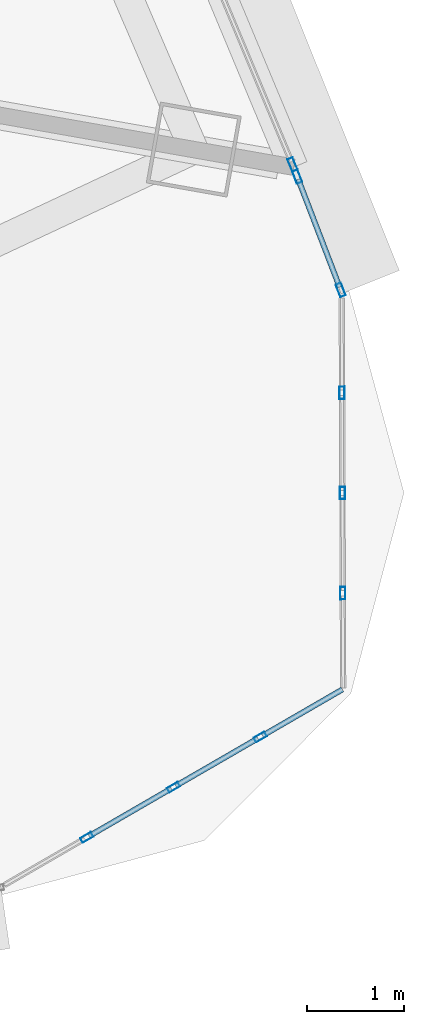
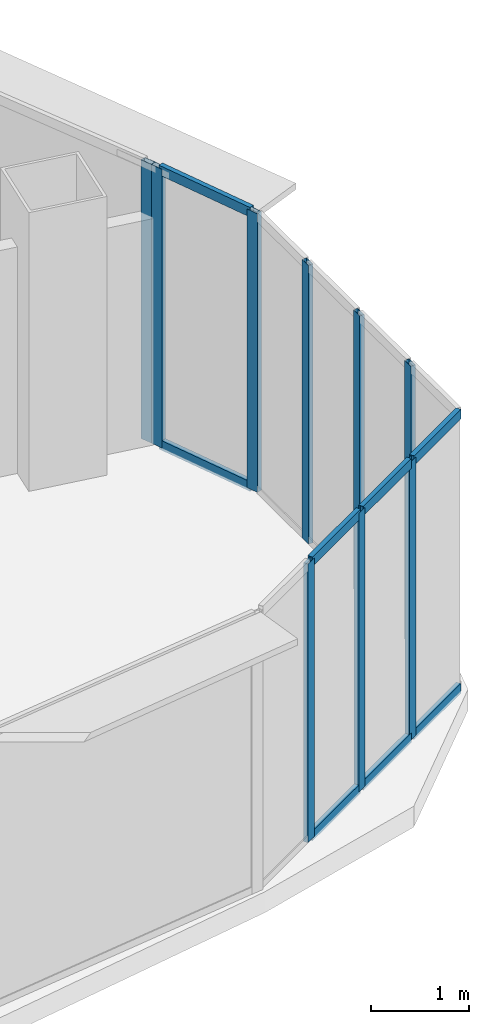
# One storey, part 25 of 36: 17 members, 4 elements without a shape of their own.
"""IFC4 building model written with IfcOpenShell, lengths in metres."""

import ifcopenshell
import ifcopenshell.guid

model = None  # the IFC model being written
_history = None  # IfcOwnerHistory: only IFC2X3 demands one
_inside = {}  # id of a spatial element -> (the spatial element, [elements in it])
_under = {}  # id of a project, library or spatial element -> (it, [spatial elements below it])
_declared = {}  # id of a project -> (the project, [libraries it declares])
_typed = {}  # id of a type object -> (the type object, [elements of that type])
_made_of = {}  # id of a material, layer set ... -> (it, [elements and type objects made of it])


def new_model(schema):
    """Start an empty IFC model of exactly this schema.

    Asked for "IFC4X3", IfcOpenShell would pick the latest addendum, in which some entities
    have other attributes; the version numbers below select the first issue.
    IFC2X3 requires an IfcOwnerHistory on every rooted entity: one is made here for all.
    """
    global model, _history
    if schema == "IFC4X3":
        model = ifcopenshell.file(schema_version=(4, 3, 0, 0))
    else:
        model = ifcopenshell.file(schema=schema)
    _inside.clear()
    _under.clear()
    _declared.clear()
    _typed.clear()
    _made_of.clear()
    _history = None
    if model.schema == "IFC2X3":
        org = make("IfcOrganization", Name="unknown")
        user = make(
            "IfcPersonAndOrganization",
            ThePerson=make("IfcPerson", FamilyName="unknown"),
            TheOrganization=org,
        )
        app = make(
            "IfcApplication",
            ApplicationDeveloper=org,
            Version="unknown",
            ApplicationFullName="unknown",
            ApplicationIdentifier="unknown",
        )
        _history = make(
            "IfcOwnerHistory",
            OwningUser=user,
            OwningApplication=app,
            ChangeAction="ADDED",
            CreationDate=0,
        )
    return model


def make(cls, **values):
    """One entity of the class cls with the attributes given. An attribute that is None is left unset."""
    return model.create_entity(
        cls, **{name: value for name, value in values.items() if value is not None}
    )


def rooted(cls, **values):
    """An entity with a GlobalId (a new one), such as an element, a storey or a relation."""
    return make(cls, GlobalId=ifcopenshell.guid.new(), OwnerHistory=_history, **values)


def si_unit(unit_type, name, prefix=None):
    """IfcSIUnit, for example si_unit("LENGTHUNIT", "METRE", prefix="MILLI")."""
    return make("IfcSIUnit", UnitType=unit_type, Prefix=prefix, Name=name)


def assignment(units):
    """IfcUnitAssignment: the units of a project."""
    return None if units is None else make("IfcUnitAssignment", Units=units)


def point(xyz):
    """IfcCartesianPoint."""
    return None if xyz is None else make("IfcCartesianPoint", Coordinates=xyz)


def direction(xyz):
    """IfcDirection."""
    return None if xyz is None else make("IfcDirection", DirectionRatios=xyz)


def frame(location, z_axis=None, x_axis=None):
    """IfcAxis2Placement3D, a coordinate frame: its origin and axes. An axis left out is left unset."""
    return make(
        "IfcAxis2Placement3D",
        Location=point(location),
        Axis=direction(z_axis),
        RefDirection=direction(x_axis),
    )


def frame_2d(location, x_axis=None):
    """IfcAxis2Placement2D, a coordinate frame in the plane: its origin and x axis."""
    return make(
        "IfcAxis2Placement2D", Location=point(location), RefDirection=direction(x_axis)
    )


def origin():
    """The frame at (0, 0, 0) with its axes left unset."""
    return frame((0.0, 0.0, 0.0))


def origin_2d():
    """The frame at (0, 0) in the plane with its x axis left unset."""
    return frame_2d((0.0, 0.0))


def place(relative_to, where):
    """IfcLocalPlacement: puts the frame where relative to a parent placement (None: the world)."""
    return make(
        "IfcLocalPlacement", PlacementRelTo=relative_to, RelativePlacement=where
    )


def context(
    kind, dimensions, precision=None, world=None, true_north=None, identifier=None
):
    """IfcGeometricRepresentationContext, for example the 3D "Model" context."""
    return make(
        "IfcGeometricRepresentationContext",
        ContextIdentifier=identifier,
        ContextType=kind,
        CoordinateSpaceDimension=dimensions,
        Precision=precision,
        WorldCoordinateSystem=world,
        TrueNorth=true_north,
    )


def subcontext(parent, identifier, kind, view, scale=None):
    """IfcGeometricRepresentationSubContext, for example "Body" below "Model"."""
    return make(
        "IfcGeometricRepresentationSubContext",
        ContextIdentifier=identifier,
        ContextType=kind,
        ParentContext=parent,
        TargetScale=scale,
        TargetView=view,
    )


def project(units=None, contexts=None):
    """IfcProject with its units and contexts."""
    return rooted(
        "IfcProject",
        Name="project",
        RepresentationContexts=contexts,
        UnitsInContext=assignment(units),
    )


def spatial(cls, under=None, at=None, **own):
    """A site, building, storey or space (cls), placed at a placement, below another one or the project."""
    s = rooted(cls, ObjectPlacement=at, **own)
    if under is not None:
        _under.setdefault(under.id(), (under, []))[1].append(s)
    return s


def profile(cls, at=None, kind="AREA", **sizes):
    """A parametric profile (cls). Its sizes go by their IFC names, for example OverallWidth=200.0."""
    return make(cls, ProfileType=kind, Position=at, **sizes)


def hollow_rectangle(**sizes):
    """IfcRectangleHollowProfileDef."""
    return profile("IfcRectangleHollowProfileDef", **sizes)


def extrude(swept, where, along, depth):
    """IfcExtrudedAreaSolid: the profile swept, set in the frame where, extruded along a direction by depth."""
    return make(
        "IfcExtrudedAreaSolid",
        SweptArea=swept,
        Position=where,
        ExtrudedDirection=direction(along),
        Depth=depth,
    )


def shape(context_of_items, identifier, shape_type, items):
    """IfcShapeRepresentation: the items that make up one representation, for example the "Body"."""
    return make(
        "IfcShapeRepresentation",
        ContextOfItems=context_of_items,
        RepresentationIdentifier=identifier,
        RepresentationType=shape_type,
        Items=items,
    )


def source(mapping_origin, context_of_items, identifier, shape_type, items):
    """IfcRepresentationMap: a shape defined once, which mapped items show again and again."""
    return make(
        "IfcRepresentationMap",
        MappingOrigin=mapping_origin,
        MappedRepresentation=shape(context_of_items, identifier, shape_type, items),
    )


def transform(
    local_origin,
    x_axis=None,
    y_axis=None,
    z_axis=None,
    scale=None,
    scale2=None,
    scale3=None,
    uniform=True,
):
    """IfcCartesianTransformationOperator3D, or its non-uniform kind. x_axis, y_axis, z_axis: its Axis1, 2, 3."""
    if uniform:
        return make(
            "IfcCartesianTransformationOperator3D",
            Axis1=direction(x_axis),
            Axis2=direction(y_axis),
            LocalOrigin=point(local_origin),
            Scale=scale,
            Axis3=direction(z_axis),
        )
    return make(
        "IfcCartesianTransformationOperator3DnonUniform",
        Axis1=direction(x_axis),
        Axis2=direction(y_axis),
        LocalOrigin=point(local_origin),
        Scale=scale,
        Axis3=direction(z_axis),
        Scale2=scale2,
        Scale3=scale3,
    )


def mapped(mapping_source, mapping_target):
    """IfcMappedItem: shows the shape of a source again, moved by a transform."""
    return make(
        "IfcMappedItem", MappingSource=mapping_source, MappingTarget=mapping_target
    )


def material(Name=None, Category=None):
    """IfcMaterial."""
    return make("IfcMaterial", Name=Name, Category=Category)


def layer(
    of_material, thickness, ventilated=None, Name=None, Category=None, Priority=None
):
    """IfcMaterialLayer: one layer of a wall or slab, of a material (None: an air gap)."""
    return make(
        "IfcMaterialLayer",
        Material=of_material,
        LayerThickness=thickness,
        IsVentilated=ventilated,
        Name=Name,
        Category=Category,
        Priority=Priority,
    )


def layer_set(layers, Name=None):
    """IfcMaterialLayerSet."""
    return make("IfcMaterialLayerSet", MaterialLayers=layers, LayerSetName=Name)


def material_profile(
    of_material, cross_section, Name=None, Category=None, Priority=None
):
    """IfcMaterialProfile: a cross section and its material."""
    return make(
        "IfcMaterialProfile",
        Name=Name,
        Material=of_material,
        Profile=cross_section,
        Priority=Priority,
        Category=Category,
    )


def profile_set(profiles, Name=None, composite=None):
    """IfcMaterialProfileSet."""
    return make(
        "IfcMaterialProfileSet",
        Name=Name,
        MaterialProfiles=profiles,
        CompositeProfile=composite,
    )


def made_of(thing, what):
    """Note that an element or type object is made of a material, layer set ...; save() writes the relation."""
    if what is not None:
        _made_of.setdefault(what.id(), (what, []))[1].append(thing)
    return thing


def type_object(cls, material=None, **own):
    """A type object (cls), such as IfcWallType, which elements share."""
    return made_of(rooted(cls, **own), material)


def element(
    cls,
    number,
    at=None,
    inside=None,
    cuts=None,
    type_object=None,
    material=None,
    context=None,
    identifier="Body",
    shape_type=None,
    held_by="IfcProductDefinitionShape",
    body=None,
    shapes=None,
    **own,
):
    """One element of the class cls, such as IfcWall. Its Tag is "e" and its number.

    at: its placement. inside: the storey or other place that contains it. cuts: it is an
    opening in that element (IfcRelVoidsElement). A single representation is given by context,
    identifier, shape_type and body (its items); several are given by shapes. held_by: the class
    of the entity that holds the representations. save() writes the other relations.
    """
    e = rooted(cls, Tag="e%d" % number, ObjectPlacement=at, **own)
    if body is not None:
        shapes = [shape(context, identifier, shape_type, body)]
    if shapes is not None:
        e.Representation = make(held_by, Representations=shapes)
    if inside is not None:
        _inside.setdefault(inside.id(), (inside, []))[1].append(e)
    if cuts is not None:
        rooted(
            "IfcRelVoidsElement", RelatingBuildingElement=cuts, RelatedOpeningElement=e
        )
    if type_object is not None:
        _typed.setdefault(type_object.id(), (type_object, []))[1].append(e)
    return made_of(e, material)


def aggregate(whole, parts):
    """IfcRelAggregates: a whole, such as a stair, and the parts it consists of."""
    return rooted("IfcRelAggregates", RelatingObject=whole, RelatedObjects=parts)


def save(model, path):
    """Write the relations noted so far, then the file.

    IfcRelAggregates (storeys below a building ...), IfcRelContainedInSpatialStructure (elements
    in a storey), IfcRelDefinesByType, IfcRelAssociatesMaterial and IfcRelDeclares: one each for
    every whole, place, type object, material and project.
    """
    for whole, parts in _under.values():
        aggregate(whole, parts)
    for where, things in _inside.values():
        rooted(
            "IfcRelContainedInSpatialStructure",
            RelatedElements=things,
            RelatingStructure=where,
        )
    for kind, things in _typed.values():
        rooted("IfcRelDefinesByType", RelatedObjects=things, RelatingType=kind)
    for what, things in _made_of.values():
        rooted("IfcRelAssociatesMaterial", RelatedObjects=things, RelatingMaterial=what)
    for by, libraries in _declared.values():
        rooted("IfcRelDeclares", RelatingContext=by, RelatedDefinitions=libraries)
    model.write(path)


model = new_model("IFC4")

# Units and contexts
model_context = context("Model", 3, precision=1e-05, world=origin(), true_north=direction((0.0, 1.0)))
body_context = subcontext(model_context, "Body", "Model", "MODEL_VIEW")
ifc_project = project(units=[si_unit("LENGTHUNIT", "METRE"), si_unit("AREAUNIT", "SQUARE_METRE"), si_unit("VOLUMEUNIT", "CUBIC_METRE"), si_unit("PLANEANGLEUNIT", "RADIAN"), si_unit("MASSUNIT", "GRAM", prefix="KILO"), si_unit("THERMODYNAMICTEMPERATUREUNIT", "KELVIN"), si_unit("POWERUNIT", "WATT")], contexts=[model_context])

# Site, building, storey
site_placement = place(None, origin())
site = spatial("IfcSite", under=ifc_project, at=site_placement, CompositionType="ELEMENT")
building_placement = place(site_placement, origin())
building = spatial("IfcBuilding", under=site, at=building_placement, Name="Yunzhuo Pagoda Commons", CompositionType="ELEMENT")
storey_placement = place(building_placement, frame((0.0, 0.0, 263.179931640625)))
storey = spatial("IfcBuildingStorey", under=building, at=storey_placement, Name="L66", CompositionType="ELEMENT", Elevation=263.179931640625)

# Curtain wall, member
ifc_material = material(Name="Anodized aluminium 6063-T6", Category="aluminium")
ifc_layer_1 = layer(ifc_material, 0.139892578125)
ifc_layer_set_1 = layer_set([ifc_layer_1], Name="Anodized aluminium 6063-T6")
curtain_wall_type_1 = type_object("IfcCurtainWallType", Name="CW-HI High-Zone Ribbon Curtain Wall", PredefinedType="NOTDEFINED", material=ifc_layer_set_1)
curtain_wall_1_placement = place(storey_placement, origin())
curtain_wall_1 = element("IfcCurtainWall", 1, at=curtain_wall_1_placement, inside=storey, type_object=curtain_wall_type_1, Name="L66 curtain wall CW-L66-F2B2", PredefinedType="NOTDEFINED")
ifc_material_profile_1 = material_profile(ifc_material, hollow_rectangle(XDim=0.06005859375, YDim=0.139892578125, WallThickness=0.00341796875, at=origin_2d()), Name="Anodized aluminium 6063-T6")
ifc_profile_set_1 = profile_set([ifc_material_profile_1], Name="Anodized aluminium 6063-T6")
member_type_1 = type_object("IfcMemberType", Name="CW-HI-M Mullion RHS 140x60x3.5", PredefinedType="MULLION", material=ifc_profile_set_1)
shared_shape_1 = source(origin(), body_context, "Body", "SweptSolid", [
    extrude(hollow_rectangle(XDim=0.06005859375, YDim=0.139892578125, WallThickness=0.00341796875, at=origin_2d()), origin(), (0.0, 0.0, 1.0), 3.469970703125),
])
member_1_placement = place(storey_placement, frame((80.95654296875, 27.91455078125, 0.0), z_axis=(0.0, 0.0, 1.0), x_axis=(-0.922909845486, -0.385016125772, 0.0)))
member_1 = element("IfcMember", 2, at=member_1_placement, type_object=member_type_1, Name="CW mullion 1", PredefinedType="MULLION", context=body_context, shape_type="MappedRepresentation", body=[
    mapped(shared_shape_1, transform((0.0, 0.0, 0.0), scale=1.0)),
])
aggregate(curtain_wall_1, [member_1])

# Curtain wall, members
curtain_wall_2_placement = place(storey_placement, origin())
curtain_wall_2 = element("IfcCurtainWall", 3, at=curtain_wall_2_placement, inside=storey, type_object=curtain_wall_type_1, Name="L66 curtain wall CW-L66-F2B1", PredefinedType="NOTDEFINED")
member_2_placement = place(storey_placement, frame((81.45556640625, 26.61572265625, 0.0), z_axis=(0.0, 0.0, 1.0), x_axis=(-0.933674157634, -0.358123676077, 0.0)))
member_2 = element("IfcMember", 4, at=member_2_placement, type_object=member_type_1, Name="CW mullion 1", PredefinedType="MULLION", context=body_context, shape_type="MappedRepresentation", body=[
    mapped(shared_shape_1, transform((0.0, 0.0, 0.0), scale=1.0)),
])
member_3_placement = place(storey_placement, frame((81.005859375, 27.788818359375, 0.0), z_axis=(0.0, 0.0, 1.0), x_axis=(-0.933674157634, -0.358123676077, 0.0)))
member_3 = element("IfcMember", 5, at=member_3_placement, type_object=member_type_1, Name="CW mullion 2", PredefinedType="MULLION", context=body_context, shape_type="MappedRepresentation", body=[
    mapped(shared_shape_1, transform((0.0, 0.0, 0.0), scale=1.0)),
])

ifc_layer_2 = layer(ifc_material, 0.1298828125)
ifc_layer_set_2 = layer_set([ifc_layer_2], Name="Anodized aluminium 6063-T6")
curtain_wall_type_2 = type_object("IfcCurtainWallType", Name="CW-VTX Rounded Corner Curtain Wall", PredefinedType="NOTDEFINED", material=ifc_layer_set_2)
curtain_wall_3_placement = place(storey_placement, origin())
curtain_wall_3 = element("IfcCurtainWall", 6, at=curtain_wall_3_placement, inside=storey, type_object=curtain_wall_type_2, Name="L66 curtain wall CW-L66-VTX2S1", PredefinedType="NOTDEFINED")
ifc_material_profile_2 = material_profile(ifc_material, hollow_rectangle(XDim=0.054931640625, YDim=0.1298828125, WallThickness=0.00341796875, at=origin_2d()), Name="Anodized aluminium 6063-T6")
ifc_profile_set_2 = profile_set([ifc_material_profile_2], Name="Anodized aluminium 6063-T6")
member_type_2 = type_object("IfcMemberType", Name="CW-VTX-M Mullion RHS 130x55x3.5", PredefinedType="MULLION", material=ifc_profile_set_2)
shared_shape_2 = source(origin(), body_context, "Body", "SweptSolid", [
    extrude(hollow_rectangle(XDim=0.054931640625, YDim=0.1298828125, WallThickness=0.00341796875, at=origin_2d()), origin(), (0.0, 0.0, 1.0), 3.469970703125),
])
member_4_placement = place(storey_placement, frame((78.82568359375, 20.94384765625, 0.0), z_axis=(0.0, 0.0, 1.0), x_axis=(-0.501026778958, 0.865431780539, 0.0)))
member_4 = element("IfcMember", 7, at=member_4_placement, type_object=member_type_2, Name="CW mullion 2", PredefinedType="MULLION", context=body_context, shape_type="MappedRepresentation", body=[
    mapped(shared_shape_2, transform((0.0, 0.0, 0.0), scale=1.0)),
])
member_5_placement = place(storey_placement, frame((79.72412109375, 21.4638671875, 0.0), z_axis=(0.0, 0.0, 1.0), x_axis=(-0.501026778958, 0.865431780539, 0.0)))
member_5 = element("IfcMember", 8, at=member_5_placement, type_object=member_type_2, Name="CW mullion 3", PredefinedType="MULLION", context=body_context, shape_type="MappedRepresentation", body=[
    mapped(shared_shape_2, transform((0.0, 0.0, 0.0), scale=1.0)),
])
member_6_placement = place(storey_placement, frame((80.62255859375, 21.984130859375, 0.0), z_axis=(0.0, 0.0, 1.0), x_axis=(-0.501026778958, 0.865431780539, 0.0)))
member_6 = element("IfcMember", 9, at=member_6_placement, type_object=member_type_2, Name="CW mullion 4", PredefinedType="MULLION", context=body_context, shape_type="MappedRepresentation", body=[
    mapped(shared_shape_2, transform((0.0, 0.0, 0.0), scale=1.0)),
])

curtain_wall_4_placement = place(storey_placement, origin())
curtain_wall_4 = element("IfcCurtainWall", 10, at=curtain_wall_4_placement, inside=storey, type_object=curtain_wall_type_2, Name="L66 curtain wall CW-L66-VTX2S2", PredefinedType="NOTDEFINED")
member_7_placement = place(storey_placement, frame((81.4775390625, 23.473388671875, 0.0), z_axis=(0.0, 0.0, 1.0), x_axis=(-0.999993564023, -0.003587744782, 0.0)))
member_7 = element("IfcMember", 11, at=member_7_placement, type_object=member_type_2, Name="CW mullion 2", PredefinedType="MULLION", context=body_context, shape_type="MappedRepresentation", body=[
    mapped(shared_shape_2, transform((0.0, 0.0, 0.0), scale=1.0)),
])
member_8_placement = place(storey_placement, frame((81.473876953125, 24.511474609375, 0.0), z_axis=(0.0, 0.0, 1.0), x_axis=(-0.999993564023, -0.003587744782, 0.0)))
member_8 = element("IfcMember", 12, at=member_8_placement, type_object=member_type_2, Name="CW mullion 3", PredefinedType="MULLION", context=body_context, shape_type="MappedRepresentation", body=[
    mapped(shared_shape_2, transform((0.0, 0.0, 0.0), scale=1.0)),
])
member_9_placement = place(storey_placement, frame((81.47021484375, 25.5498046875, 0.0), z_axis=(0.0, 0.0, 1.0), x_axis=(-0.999993564023, -0.003587744782, 0.0)))
member_9 = element("IfcMember", 13, at=member_9_placement, type_object=member_type_2, Name="CW mullion 4", PredefinedType="MULLION", context=body_context, shape_type="MappedRepresentation", body=[
    mapped(shared_shape_2, transform((0.0, 0.0, 0.0), scale=1.0)),
])
aggregate(curtain_wall_4, [member_7, member_8, member_9])

# Member
ifc_material_profile_3 = material_profile(ifc_material, hollow_rectangle(XDim=0.054931640625, YDim=0.1201171875, WallThickness=0.00341796875, at=origin_2d()), Name="Anodized aluminium 6063-T6")
ifc_profile_set_3 = profile_set([ifc_material_profile_3], Name="Anodized aluminium 6063-T6")
member_type_3 = type_object("IfcMemberType", Name="CW-HI-T Transom RHS 120x55x3.5", PredefinedType="USERDEFINED", material=ifc_profile_set_3)
shared_shape_3 = source(origin(), body_context, "Body", "SweptSolid", [
    extrude(hollow_rectangle(XDim=0.054931640625, YDim=0.1201171875, WallThickness=0.00341796875, at=origin_2d()), origin(), (0.0, 0.0, 1.0), 1.1962890625),
])
member_10_placement = place(storey_placement, frame((81.44482421875, 26.643798828125, 0.02783203125), z_axis=(-0.357980497641, 0.933729063117, 0.0), x_axis=(-0.933729063117, -0.357980497641, 0.0)))
member_10 = element("IfcMember", 14, at=member_10_placement, type_object=member_type_3, Name="CW transom 1.1", ObjectType="TRANSOM", PredefinedType="USERDEFINED", context=body_context, shape_type="MappedRepresentation", body=[
    mapped(shared_shape_3, transform((0.0, 0.0, 0.0), scale=1.0)),
])

member_11_placement = place(storey_placement, frame((81.44482421875, 26.643798828125, 3.442626953125), z_axis=(-0.357980497641, 0.933729063117, 0.0), x_axis=(-0.933729063117, -0.357980497641, 0.0)))
member_11 = element("IfcMember", 15, at=member_11_placement, type_object=member_type_3, Name="CW transom 1.2", ObjectType="TRANSOM", PredefinedType="USERDEFINED", context=body_context, shape_type="MappedRepresentation", body=[
    mapped(shared_shape_3, transform((0.0, 0.0, 0.0), scale=1.0)),
])

aggregate(curtain_wall_2, [member_2, member_3, member_10, member_11])

ifc_material_profile_4 = material_profile(ifc_material, hollow_rectangle(XDim=0.054931640625, YDim=0.1201171875, WallThickness=0.00341796875, at=origin_2d()), Name="Anodized aluminium 6063-T6")
ifc_profile_set_4 = profile_set([ifc_material_profile_4], Name="Anodized aluminium 6063-T6")
member_type_4 = type_object("IfcMemberType", Name="CW-VTX-T Transom RHS 120x55x3.5", PredefinedType="USERDEFINED", material=ifc_profile_set_4)
shared_shape_4 = source(origin(), body_context, "Body", "SweptSolid", [
    extrude(hollow_rectangle(XDim=0.054931640625, YDim=0.1201171875, WallThickness=0.00341796875, at=origin_2d()), origin(), (0.0, 0.0, 1.0), 0.983154296875),
])
member_12_placement = place(storey_placement, frame((78.849365234375, 20.957763671875, 0.02783203125), z_axis=(0.865494289942, 0.500918789903, 0.0), x_axis=(-0.500918789903, 0.865494289942, 0.0)))
member_12 = element("IfcMember", 16, at=member_12_placement, type_object=member_type_4, Name="CW transom 2.1", ObjectType="TRANSOM", PredefinedType="USERDEFINED", context=body_context, shape_type="MappedRepresentation", body=[
    mapped(shared_shape_4, transform((0.0, 0.0, 0.0), scale=1.0)),
])

member_13_placement = place(storey_placement, frame((78.849365234375, 20.957763671875, 3.442626953125), z_axis=(0.865494289942, 0.500918789903, 0.0), x_axis=(-0.500918789903, 0.865494289942, 0.0)))
member_13 = element("IfcMember", 17, at=member_13_placement, type_object=member_type_4, Name="CW transom 2.2", ObjectType="TRANSOM", PredefinedType="USERDEFINED", context=body_context, shape_type="MappedRepresentation", body=[
    mapped(shared_shape_4, transform((0.0, 0.0, 0.0), scale=1.0)),
])

member_14_placement = place(storey_placement, frame((79.747802734375, 21.477783203125, 0.02783203125), z_axis=(0.865556585354, 0.500811139604, 0.0), x_axis=(-0.500811139604, 0.865556585354, 0.0)))
member_14 = element("IfcMember", 18, at=member_14_placement, type_object=member_type_4, Name="CW transom 3.1", ObjectType="TRANSOM", PredefinedType="USERDEFINED", context=body_context, shape_type="MappedRepresentation", body=[
    mapped(shared_shape_4, transform((0.0, 0.0, 0.0), scale=1.0)),
])

member_15_placement = place(storey_placement, frame((79.747802734375, 21.477783203125, 3.442626953125), z_axis=(0.865556585354, 0.500811139604, 0.0), x_axis=(-0.500811139604, 0.865556585354, 0.0)))
member_15 = element("IfcMember", 19, at=member_15_placement, type_object=member_type_4, Name="CW transom 3.2", ObjectType="TRANSOM", PredefinedType="USERDEFINED", context=body_context, shape_type="MappedRepresentation", body=[
    mapped(shared_shape_4, transform((0.0, 0.0, 0.0), scale=1.0)),
])

shared_shape_5 = source(origin(), body_context, "Body", "SweptSolid", [
    extrude(hollow_rectangle(XDim=0.054931640625, YDim=0.1201171875, WallThickness=0.00341796875, at=origin_2d()), origin(), (0.0, 0.0, 1.0), 0.955810546875),
])
member_16_placement = place(storey_placement, frame((80.646484375, 21.997802734375, 0.02783203125), z_axis=(0.865367988414, 0.501136951968, 0.0), x_axis=(-0.501136951968, 0.865367988414, 0.0)))
member_16 = element("IfcMember", 20, at=member_16_placement, type_object=member_type_4, Name="CW transom 4.1", ObjectType="TRANSOM", PredefinedType="USERDEFINED", context=body_context, shape_type="MappedRepresentation", body=[
    mapped(shared_shape_5, transform((0.0, 0.0, 0.0), scale=1.0)),
])

member_17_placement = place(storey_placement, frame((80.646484375, 21.997802734375, 3.442626953125), z_axis=(0.865367988414, 0.501136951968, 0.0), x_axis=(-0.501136951968, 0.865367988414, 0.0)))
member_17 = element("IfcMember", 21, at=member_17_placement, type_object=member_type_4, Name="CW transom 4.2", ObjectType="TRANSOM", PredefinedType="USERDEFINED", context=body_context, shape_type="MappedRepresentation", body=[
    mapped(shared_shape_5, transform((0.0, 0.0, 0.0), scale=1.0)),
])

aggregate(curtain_wall_3, [member_4, member_5, member_6, member_12, member_13, member_14, member_15, member_16, member_17])

save(model, "model.ifc")
